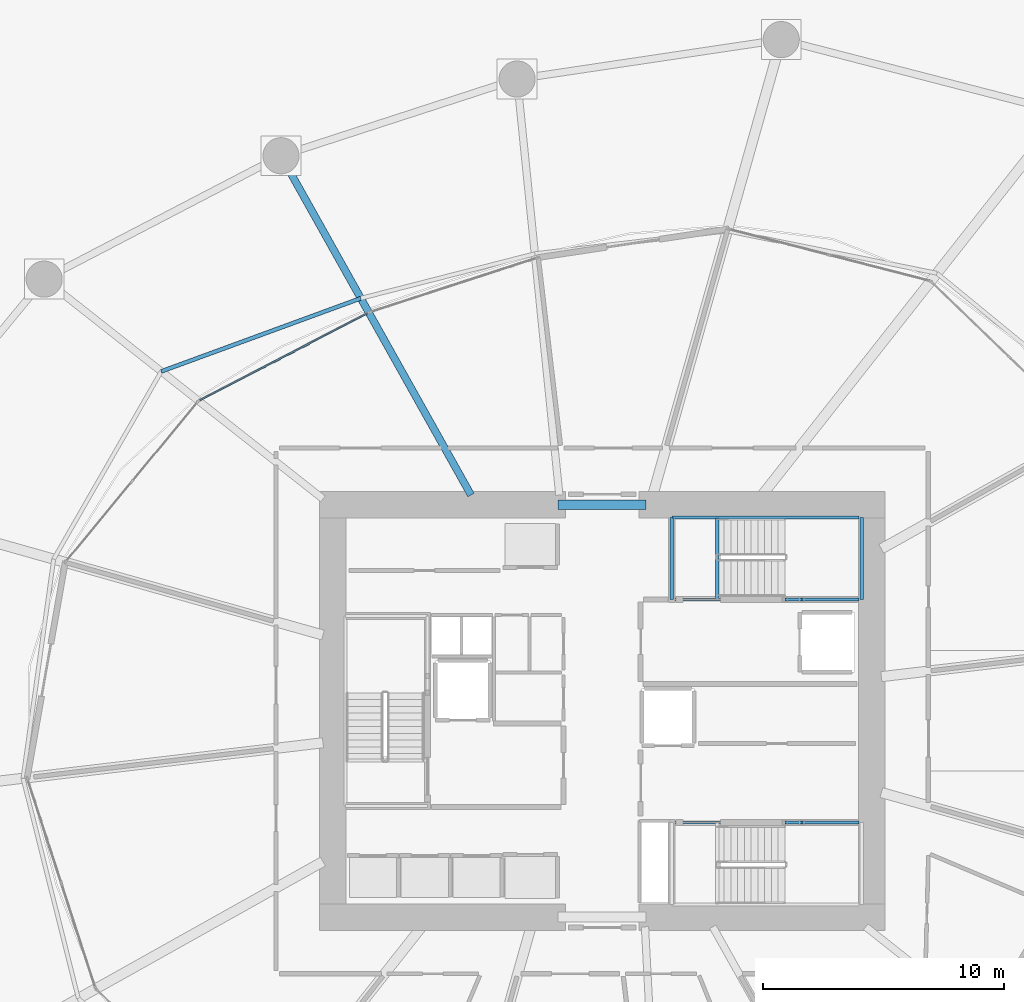
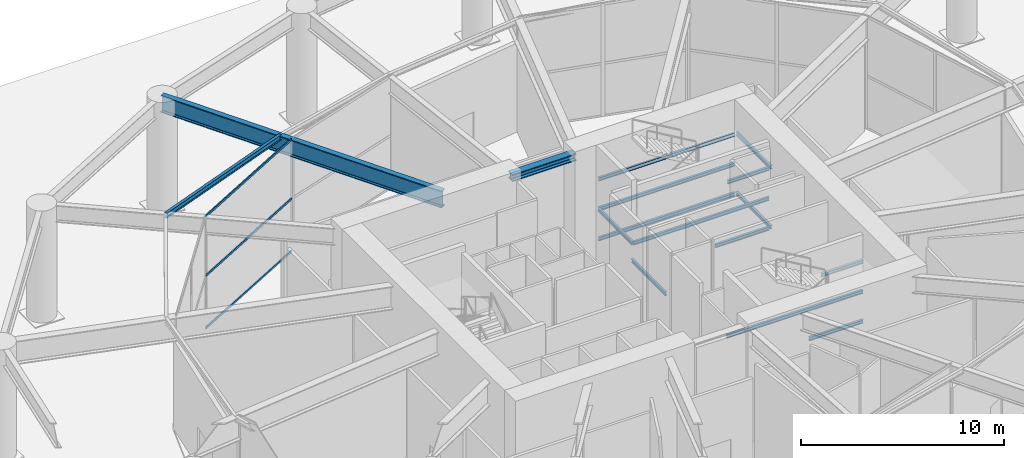
# One storey, part 11 of 28: 16 beams, 3 members, 1 element without a shape of its own.
"""IFC4 building model written with IfcOpenShell, lengths in metres."""

from ifc_helpers import new_model, si_unit, direction, frame, origin, origin_2d, place, context, subcontext, project, spatial, rectangle, i_section, extrude, material, layer, layer_set, material_profile, profile_set, type_object, element, aggregate, save


model = new_model("IFC4")

# Units and contexts
model_context = context("Model", 3, precision=1e-05, world=origin(), true_north=direction((0.0, 1.0)))
body_context = subcontext(model_context, "Body", "Model", "MODEL_VIEW")
ifc_project = project(units=[si_unit("LENGTHUNIT", "METRE"), si_unit("AREAUNIT", "SQUARE_METRE"), si_unit("VOLUMEUNIT", "CUBIC_METRE"), si_unit("PLANEANGLEUNIT", "RADIAN"), si_unit("MASSUNIT", "GRAM", prefix="KILO")], contexts=[model_context])

# Site, building, storey
site_placement = place(None, origin())
site = spatial("IfcSite", under=ifc_project, at=site_placement, CompositionType="ELEMENT")
building_placement = place(site_placement, origin())
building = spatial("IfcBuilding", under=site, at=building_placement, Name="Kazma Halo Residences", CompositionType="ELEMENT")
storey_placement = place(building_placement, origin())
storey = spatial("IfcBuildingStorey", under=building, at=storey_placement, Name="L00", CompositionType="ELEMENT", Elevation=0.0)

# Beams
ifc_material_1 = material(Name="Steel S355", Category="steel")
ifc_material_profile_1 = material_profile(ifc_material_1, i_section(OverallWidth=0.408935546875, OverallDepth=0.425048828125, WebThickness=0.03271484375, FlangeThickness=0.052490234375, FilletRadius=0.02001953125, at=origin_2d()), Name="W360x421")
ifc_profile_set_1 = profile_set([ifc_material_profile_1], Name="Steel S355")
beam_type_1 = type_object("IfcBeamType", Name="BM-CORE-W360H", PredefinedType="BEAM", material=ifc_profile_set_1)
beam_1_placement = place(storey_placement, frame((46.60009765625, 50.550048828125, 6.58740234375), z_axis=(1.0, 0.0, 0.0), x_axis=(0.0, 1.0, 0.0)))
element("IfcBeam", 1, at=beam_1_placement, inside=storey, type_object=beam_type_1, Name="L00 core coupling beam N", PredefinedType="BEAM", context=body_context, shape_type="SweptSolid", body=[
    extrude(i_section(OverallWidth=0.408935546875, OverallDepth=0.425048828125, WebThickness=0.03271484375, FlangeThickness=0.052490234375, FilletRadius=0.02001953125, at=origin_2d()), origin(), (0.0, 0.0, 1.0), 3.64990234375),
])
ifc_material_profile_2 = material_profile(ifc_material_1, i_section(OverallWidth=0.1650390625, OverallDepth=0.31005859375, WebThickness=0.005859375, FlangeThickness=0.009765625, FilletRadius=0.011962890625, at=origin_2d()), Name="W310x38.7")
ifc_profile_set_2 = profile_set([ifc_material_profile_2], Name="Steel S355")
beam_type_2 = type_object("IfcBeamType", Name="BM-SEC-W310B", PredefinedType="JOIST", material=ifc_profile_set_2)
beam_2_placement = place(storey_placement, frame((38.419189453125, 59.10791015625, 6.64501953125), z_axis=(-0.938908549767, -0.344166725838, 0.0), x_axis=(0.344166725838, -0.938908549767, 0.0)))
element("IfcBeam", 2, at=beam_2_placement, inside=storey, type_object=beam_type_2, Name="L00 circumferential floor joist 05", PredefinedType="JOIST", context=body_context, shape_type="SweptSolid", body=[
    extrude(i_section(OverallWidth=0.1650390625, OverallDepth=0.31005859375, WebThickness=0.005859375, FlangeThickness=0.009765625, FilletRadius=0.011962890625, at=origin_2d()), origin(), (0.0, 0.0, 1.0), 8.811767578125),
])
ifc_material_profile_3 = material_profile(ifc_material_1, i_section(OverallWidth=0.302001953125, OverallDepth=1.01806640625, WebThickness=0.021484375, FlangeThickness=0.049072265625, FilletRadius=0.028076171875, at=origin_2d()), Name="W1000x443")
ifc_profile_set_3 = profile_set([ifc_material_profile_3], Name="Steel S355")
beam_type_3 = type_object("IfcBeamType", Name="BM-TRANS-W1000A", PredefinedType="BEAM", material=ifc_profile_set_3)
beam_3_placement = place(storey_placement, frame((42.98779296875, 50.949951171875, 6.291015625), z_axis=(-0.488623198121, 0.872494911308, 0.0), x_axis=(-0.872494911308, -0.488623198121, 0.0)))
element("IfcBeam", 3, at=beam_3_placement, inside=storey, type_object=beam_type_3, Name="L00 podium radial transfer girder 05", PredefinedType="BEAM", context=body_context, shape_type="SweptSolid", body=[
    extrude(i_section(OverallWidth=0.302001953125, OverallDepth=1.01806640625, WebThickness=0.021484375, FlangeThickness=0.049072265625, FilletRadius=0.028076171875, at=origin_2d()), origin(), (0.0, 0.0, 1.0), 16.12109375),
])
ifc_material_profile_4 = material_profile(ifc_material_1, i_section(OverallWidth=0.133056640625, OverallDepth=0.20703125, WebThickness=0.005859375, FlangeThickness=0.00830078125, FilletRadius=0.010009765625, at=origin_2d()), Name="W200x26.6")
ifc_profile_set_4 = profile_set([ifc_material_profile_4], Name="Steel S355")
beam_type_4 = type_object("IfcBeamType", Name="BM-TRIM-W200", PredefinedType="BEAM", material=ifc_profile_set_4)
beam_4_placement = place(storey_placement, frame((53.199951171875, 46.6201171875, -0.429931640625), z_axis=(0.0, 1.0, 0.0), x_axis=(-1.0, 0.0, 0.0)))
element("IfcBeam", 4, at=beam_4_placement, inside=storey, type_object=beam_type_4, Name="L00 ST-02 floor landing support beam", PredefinedType="BEAM", context=body_context, shape_type="SweptSolid", body=[
    extrude(i_section(OverallWidth=0.133056640625, OverallDepth=0.20703125, WebThickness=0.005859375, FlangeThickness=0.00830078125, FilletRadius=0.010009765625, at=origin_2d()), origin(), (0.0, 0.0, 1.0), 3.3798828125),
])
beam_5_placement = place(storey_placement, frame((51.31005859375, 50.02001953125, 1.4951171875), z_axis=(1.0, 0.0, 0.0), x_axis=(0.0, 1.0, 0.0)))
element("IfcBeam", 5, at=beam_5_placement, inside=storey, type_object=beam_type_4, Name="L00 ST-02 landing north wall ledger", PredefinedType="BEAM", context=body_context, shape_type="SweptSolid", body=[
    extrude(i_section(OverallWidth=0.133056640625, OverallDepth=0.20703125, WebThickness=0.005859375, FlangeThickness=0.00830078125, FilletRadius=0.010009765625, at=origin_2d()), origin(), (0.0, 0.0, 1.0), 7.760009765625),
])
beam_6_placement = place(storey_placement, frame((56.0, 46.6201171875, 1.4951171875), z_axis=(1.0, 0.0, 0.0), x_axis=(0.0, 1.0, 0.0)))
element("IfcBeam", 6, at=beam_6_placement, inside=storey, type_object=beam_type_4, Name="L00 ST-02 landing south wall ledger", PredefinedType="BEAM", context=body_context, shape_type="SweptSolid", body=[
    extrude(i_section(OverallWidth=0.133056640625, OverallDepth=0.20703125, WebThickness=0.005859375, FlangeThickness=0.00830078125, FilletRadius=0.010009765625, at=origin_2d()), origin(), (0.0, 0.0, 1.0), 3.070068359375),
])
beam_7_placement = place(storey_placement, frame((59.18994140625, 46.6201171875, 1.4951171875), z_axis=(0.0, 1.0, 0.0), x_axis=(-1.0, 0.0, 0.0)))
element("IfcBeam", 7, at=beam_7_placement, inside=storey, type_object=beam_type_4, Name="L00 ST-02 landing end wall ledger", PredefinedType="BEAM", context=body_context, shape_type="SweptSolid", body=[
    extrude(i_section(OverallWidth=0.133056640625, OverallDepth=0.20703125, WebThickness=0.005859375, FlangeThickness=0.00830078125, FilletRadius=0.010009765625, at=origin_2d()), origin(), (0.0, 0.0, 1.0), 3.39990234375),
])
for number, where, z_axis, x_axis, name in (
    (8, (51.31005859375, 50.02001953125, 3.294921875), (1.0, 0.0, 0.0), (0.0, 1.0, 0.0), "L00 ST-02 landing north wall ledger"),
    (9, (51.31005859375, 46.6201171875, 3.294921875), (1.0, 0.0, 0.0), (0.0, 1.0, 0.0), "L00 ST-02 landing south wall ledger"),
):
    element("IfcBeam", number, at=place(storey_placement, frame(where, z_axis=z_axis, x_axis=x_axis)), inside=storey, type_object=beam_type_4, Name=name, PredefinedType="BEAM", context=body_context, shape_type="SweptSolid", body=[
        extrude(i_section(OverallWidth=0.133056640625, OverallDepth=0.20703125, WebThickness=0.005859375, FlangeThickness=0.00830078125, FilletRadius=0.010009765625, at=origin_2d()), origin(), (0.0, 0.0, 1.0), 7.760009765625),
    ])
beam_8_placement = place(storey_placement, frame((51.31005859375, 46.6201171875, 3.294921875), z_axis=(0.0, 1.0, 0.0), x_axis=(-1.0, 0.0, 0.0)))
element("IfcBeam", 10, at=beam_8_placement, inside=storey, type_object=beam_type_4, Name="L00 ST-02 landing end wall ledger", PredefinedType="BEAM", context=body_context, shape_type="SweptSolid", body=[
    extrude(i_section(OverallWidth=0.133056640625, OverallDepth=0.20703125, WebThickness=0.005859375, FlangeThickness=0.00830078125, FilletRadius=0.010009765625, at=origin_2d()), origin(), (0.0, 0.0, 1.0), 3.39990234375),
])
beam_9_placement = place(storey_placement, frame((51.31005859375, 50.02001953125, 5.094970703125), z_axis=(1.0, 0.0, 0.0), x_axis=(0.0, 1.0, 0.0)))
element("IfcBeam", 11, at=beam_9_placement, inside=storey, type_object=beam_type_4, Name="L00 ST-02 landing north wall ledger", PredefinedType="BEAM", context=body_context, shape_type="SweptSolid", body=[
    extrude(i_section(OverallWidth=0.133056640625, OverallDepth=0.20703125, WebThickness=0.005859375, FlangeThickness=0.00830078125, FilletRadius=0.010009765625, at=origin_2d()), origin(), (0.0, 0.0, 1.0), 7.760009765625),
])
beam_10_placement = place(storey_placement, frame((56.699951171875, 46.6201171875, 5.094970703125), z_axis=(1.0, 0.0, 0.0), x_axis=(0.0, 1.0, 0.0)))
element("IfcBeam", 12, at=beam_10_placement, inside=storey, type_object=beam_type_4, Name="L00 ST-02 landing south wall ledger", PredefinedType="BEAM", context=body_context, shape_type="SweptSolid", body=[
    extrude(i_section(OverallWidth=0.133056640625, OverallDepth=0.20703125, WebThickness=0.005859375, FlangeThickness=0.00830078125, FilletRadius=0.010009765625, at=origin_2d()), origin(), (0.0, 0.0, 1.0), 2.3701171875),
])
beam_11_placement = place(storey_placement, frame((59.18994140625, 46.6201171875, 5.094970703125), z_axis=(0.0, 1.0, 0.0), x_axis=(-1.0, 0.0, 0.0)))
element("IfcBeam", 13, at=beam_11_placement, inside=storey, type_object=beam_type_4, Name="L00 ST-02 landing end wall ledger", PredefinedType="BEAM", context=body_context, shape_type="SweptSolid", body=[
    extrude(i_section(OverallWidth=0.133056640625, OverallDepth=0.20703125, WebThickness=0.005859375, FlangeThickness=0.00830078125, FilletRadius=0.010009765625, at=origin_2d()), origin(), (0.0, 0.0, 1.0), 3.39990234375),
])
beam_12_placement = place(storey_placement, frame((56.0, 37.3798828125, 1.4951171875), z_axis=(1.0, 0.0, 0.0), x_axis=(0.0, 1.0, 0.0)))
element("IfcBeam", 14, at=beam_12_placement, inside=storey, type_object=beam_type_4, Name="L00 ST-03 landing north wall ledger", PredefinedType="BEAM", context=body_context, shape_type="SweptSolid", body=[
    extrude(i_section(OverallWidth=0.133056640625, OverallDepth=0.20703125, WebThickness=0.005859375, FlangeThickness=0.00830078125, FilletRadius=0.010009765625, at=origin_2d()), origin(), (0.0, 0.0, 1.0), 3.070068359375),
])
beam_13_placement = place(storey_placement, frame((51.31005859375, 37.3798828125, 3.294921875), z_axis=(1.0, 0.0, 0.0), x_axis=(0.0, 1.0, 0.0)))
element("IfcBeam", 15, at=beam_13_placement, inside=storey, type_object=beam_type_4, Name="L00 ST-03 landing north wall ledger", PredefinedType="BEAM", context=body_context, shape_type="SweptSolid", body=[
    extrude(i_section(OverallWidth=0.133056640625, OverallDepth=0.20703125, WebThickness=0.005859375, FlangeThickness=0.00830078125, FilletRadius=0.010009765625, at=origin_2d()), origin(), (0.0, 0.0, 1.0), 7.760009765625),
])
beam_14_placement = place(storey_placement, frame((56.699951171875, 37.3798828125, 5.094970703125), z_axis=(1.0, 0.0, 0.0), x_axis=(0.0, 1.0, 0.0)))
element("IfcBeam", 16, at=beam_14_placement, inside=storey, type_object=beam_type_4, Name="L00 ST-03 landing north wall ledger", PredefinedType="BEAM", context=body_context, shape_type="SweptSolid", body=[
    extrude(i_section(OverallWidth=0.133056640625, OverallDepth=0.20703125, WebThickness=0.005859375, FlangeThickness=0.00830078125, FilletRadius=0.010009765625, at=origin_2d()), origin(), (0.0, 0.0, 1.0), 2.3701171875),
])

# Curtain wall, members
ifc_material_2 = material(Name="Aluminium AW-6063 T6 and Triple-Silver Low-E Glass", Category="aluminium")
ifc_layer = layer(ifc_material_2, 0.179931640625)
ifc_layer_set = layer_set([ifc_layer], Name="Aluminium AW-6063 T6 and Triple-Silver Low-E Glass")
curtain_wall_type = type_object("IfcCurtainWallType", Name="CW-SYS-1", PredefinedType="NOTDEFINED", material=ifc_layer_set)
curtain_wall_placement = place(storey_placement, origin())
curtain_wall = element("IfcCurtainWall", 17, at=curtain_wall_placement, inside=storey, type_object=curtain_wall_type, Name="L00 lobby unitised curtain wall 05", PredefinedType="NOTDEFINED")
ifc_material_3 = material(Name="Aluminium AW-6063 T6", Category="aluminium")
ifc_material_profile_5 = material_profile(ifc_material_3, rectangle(XDim=0.06494140625, YDim=0.135009765625, at=origin_2d()), Name="CWT-65x135")
ifc_profile_set_5 = profile_set([ifc_material_profile_5], Name="Aluminium AW-6063 T6")
member_type = type_object("IfcMemberType", Name="CW-SYS-1-TRN", PredefinedType="USERDEFINED", material=ifc_profile_set_5)
member_1_placement = place(storey_placement, frame((38.693603515625, 58.48486328125, 0.032470703125), z_axis=(-0.887561636925, -0.460688984738, 0.0), x_axis=(0.460688984738, -0.887561636925, 0.0)))
member_1 = element("IfcMember", 18, at=member_1_placement, type_object=member_type, Name="CWS-1 transom 1.1", ObjectType="TRANSOM", PredefinedType="USERDEFINED", context=body_context, shape_type="SweptSolid", body=[
    extrude(rectangle(XDim=0.06494140625, YDim=0.135009765625, at=origin_2d()), origin(), (0.0, 0.0, 1.0), 7.81884765625),
])
member_2_placement = place(storey_placement, frame((38.693603515625, 58.48486328125, 3.199951171875), z_axis=(-0.887561636925, -0.460688984738, 0.0), x_axis=(0.460688984738, -0.887561636925, 0.0)))
member_2 = element("IfcMember", 19, at=member_2_placement, type_object=member_type, Name="CWS-1 transom 1.2", ObjectType="TRANSOM", PredefinedType="USERDEFINED", context=body_context, shape_type="SweptSolid", body=[
    extrude(rectangle(XDim=0.06494140625, YDim=0.135009765625, at=origin_2d()), origin(), (0.0, 0.0, 1.0), 7.81884765625),
])
member_3_placement = place(storey_placement, frame((38.693603515625, 58.48486328125, 6.767578125), z_axis=(-0.887561636925, -0.460688984738, 0.0), x_axis=(0.460688984738, -0.887561636925, 0.0)))
member_3 = element("IfcMember", 20, at=member_3_placement, type_object=member_type, Name="CWS-1 transom 1.3", ObjectType="TRANSOM", PredefinedType="USERDEFINED", context=body_context, shape_type="SweptSolid", body=[
    extrude(rectangle(XDim=0.06494140625, YDim=0.135009765625, at=origin_2d()), origin(), (0.0, 0.0, 1.0), 7.81884765625),
])
aggregate(curtain_wall, [member_1, member_2, member_3])

save(model, "model.ifc")
